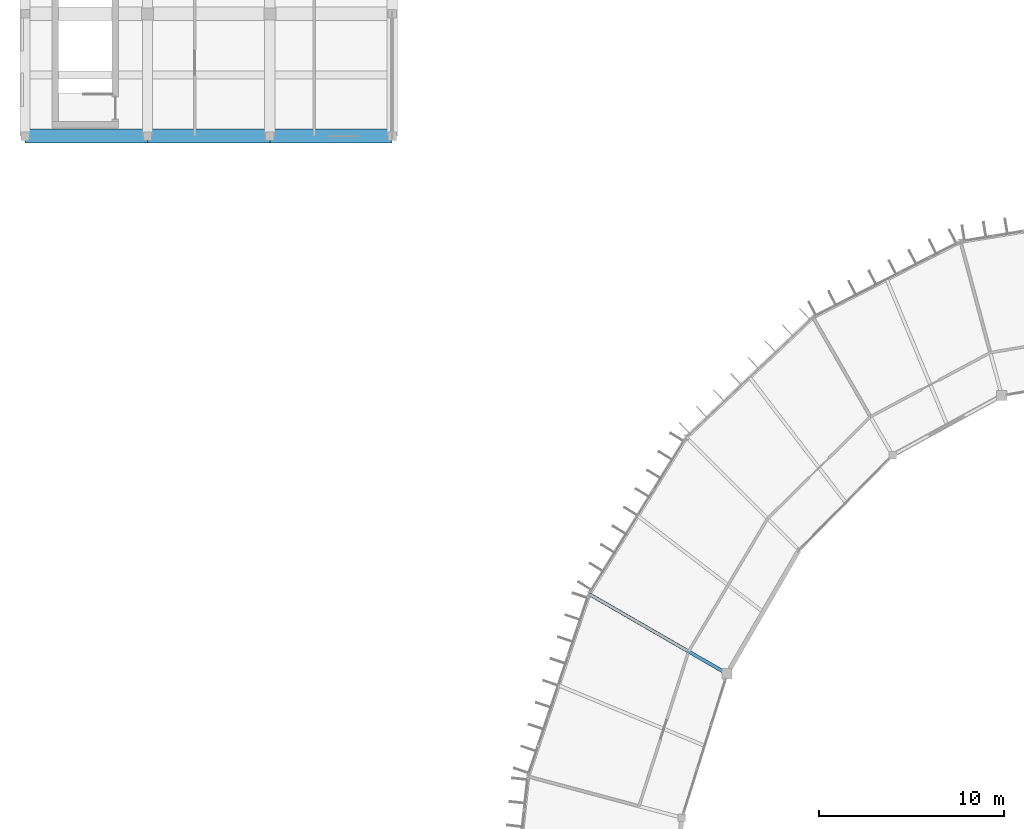
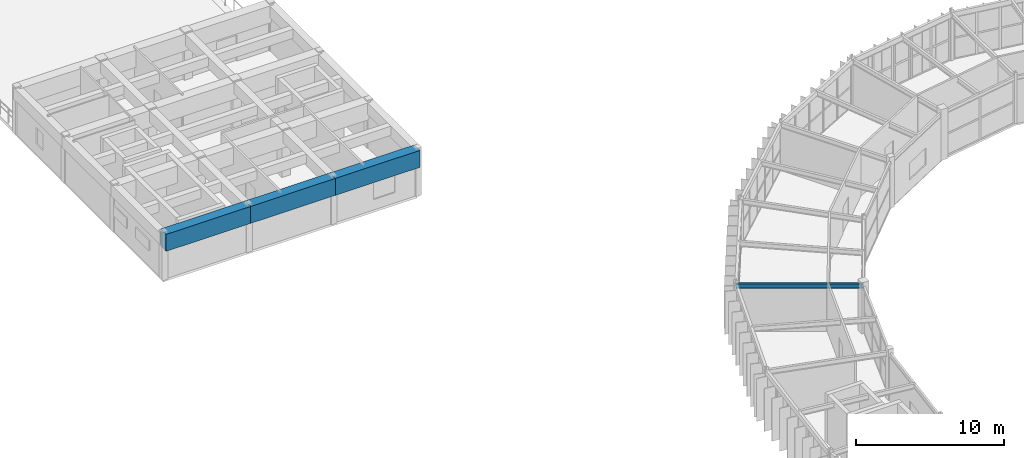
# One storey, part 55 of 106: 4 beams.
"""IFC4 building model written with IfcOpenShell, lengths in metres."""

import ifcopenshell
import ifcopenshell.guid

model = None  # the IFC model being written
_history = None  # IfcOwnerHistory: only IFC2X3 demands one
_inside = {}  # id of a spatial element -> (the spatial element, [elements in it])
_under = {}  # id of a project, library or spatial element -> (it, [spatial elements below it])
_declared = {}  # id of a project -> (the project, [libraries it declares])
_typed = {}  # id of a type object -> (the type object, [elements of that type])
_made_of = {}  # id of a material, layer set ... -> (it, [elements and type objects made of it])


def new_model(schema):
    """Start an empty IFC model of exactly this schema.

    Asked for "IFC4X3", IfcOpenShell would pick the latest addendum, in which some entities
    have other attributes; the version numbers below select the first issue.
    IFC2X3 requires an IfcOwnerHistory on every rooted entity: one is made here for all.
    """
    global model, _history
    if schema == "IFC4X3":
        model = ifcopenshell.file(schema_version=(4, 3, 0, 0))
    else:
        model = ifcopenshell.file(schema=schema)
    _inside.clear()
    _under.clear()
    _declared.clear()
    _typed.clear()
    _made_of.clear()
    _history = None
    if model.schema == "IFC2X3":
        org = make("IfcOrganization", Name="unknown")
        user = make(
            "IfcPersonAndOrganization",
            ThePerson=make("IfcPerson", FamilyName="unknown"),
            TheOrganization=org,
        )
        app = make(
            "IfcApplication",
            ApplicationDeveloper=org,
            Version="unknown",
            ApplicationFullName="unknown",
            ApplicationIdentifier="unknown",
        )
        _history = make(
            "IfcOwnerHistory",
            OwningUser=user,
            OwningApplication=app,
            ChangeAction="ADDED",
            CreationDate=0,
        )
    return model


def make(cls, **values):
    """One entity of the class cls with the attributes given. An attribute that is None is left unset."""
    return model.create_entity(
        cls, **{name: value for name, value in values.items() if value is not None}
    )


def rooted(cls, **values):
    """An entity with a GlobalId (a new one), such as an element, a storey or a relation."""
    return make(cls, GlobalId=ifcopenshell.guid.new(), OwnerHistory=_history, **values)


def si_unit(unit_type, name, prefix=None):
    """IfcSIUnit, for example si_unit("LENGTHUNIT", "METRE", prefix="MILLI")."""
    return make("IfcSIUnit", UnitType=unit_type, Prefix=prefix, Name=name)


def assignment(units):
    """IfcUnitAssignment: the units of a project."""
    return None if units is None else make("IfcUnitAssignment", Units=units)


def point(xyz):
    """IfcCartesianPoint."""
    return None if xyz is None else make("IfcCartesianPoint", Coordinates=xyz)


def direction(xyz):
    """IfcDirection."""
    return None if xyz is None else make("IfcDirection", DirectionRatios=xyz)


def frame(location, z_axis=None, x_axis=None):
    """IfcAxis2Placement3D, a coordinate frame: its origin and axes. An axis left out is left unset."""
    return make(
        "IfcAxis2Placement3D",
        Location=point(location),
        Axis=direction(z_axis),
        RefDirection=direction(x_axis),
    )


def frame_2d(location, x_axis=None):
    """IfcAxis2Placement2D, a coordinate frame in the plane: its origin and x axis."""
    return make(
        "IfcAxis2Placement2D", Location=point(location), RefDirection=direction(x_axis)
    )


def origin():
    """The frame at (0, 0, 0) with its axes left unset."""
    return frame((0.0, 0.0, 0.0))


def origin_2d():
    """The frame at (0, 0) in the plane with its x axis left unset."""
    return frame_2d((0.0, 0.0))


def place(relative_to, where):
    """IfcLocalPlacement: puts the frame where relative to a parent placement (None: the world)."""
    return make(
        "IfcLocalPlacement", PlacementRelTo=relative_to, RelativePlacement=where
    )


def context(
    kind, dimensions, precision=None, world=None, true_north=None, identifier=None
):
    """IfcGeometricRepresentationContext, for example the 3D "Model" context."""
    return make(
        "IfcGeometricRepresentationContext",
        ContextIdentifier=identifier,
        ContextType=kind,
        CoordinateSpaceDimension=dimensions,
        Precision=precision,
        WorldCoordinateSystem=world,
        TrueNorth=true_north,
    )


def subcontext(parent, identifier, kind, view, scale=None):
    """IfcGeometricRepresentationSubContext, for example "Body" below "Model"."""
    return make(
        "IfcGeometricRepresentationSubContext",
        ContextIdentifier=identifier,
        ContextType=kind,
        ParentContext=parent,
        TargetScale=scale,
        TargetView=view,
    )


def project(units=None, contexts=None):
    """IfcProject with its units and contexts."""
    return rooted(
        "IfcProject",
        Name="project",
        RepresentationContexts=contexts,
        UnitsInContext=assignment(units),
    )


def spatial(cls, under=None, at=None, **own):
    """A site, building, storey or space (cls), placed at a placement, below another one or the project."""
    s = rooted(cls, ObjectPlacement=at, **own)
    if under is not None:
        _under.setdefault(under.id(), (under, []))[1].append(s)
    return s


def profile(cls, at=None, kind="AREA", **sizes):
    """A parametric profile (cls). Its sizes go by their IFC names, for example OverallWidth=200.0."""
    return make(cls, ProfileType=kind, Position=at, **sizes)


def rectangle(**sizes):
    """IfcRectangleProfileDef."""
    return profile("IfcRectangleProfileDef", **sizes)


def i_section(**sizes):
    """IfcIShapeProfileDef."""
    return profile("IfcIShapeProfileDef", **sizes)


def extrude(swept, where, along, depth):
    """IfcExtrudedAreaSolid: the profile swept, set in the frame where, extruded along a direction by depth."""
    return make(
        "IfcExtrudedAreaSolid",
        SweptArea=swept,
        Position=where,
        ExtrudedDirection=direction(along),
        Depth=depth,
    )


def shape(context_of_items, identifier, shape_type, items):
    """IfcShapeRepresentation: the items that make up one representation, for example the "Body"."""
    return make(
        "IfcShapeRepresentation",
        ContextOfItems=context_of_items,
        RepresentationIdentifier=identifier,
        RepresentationType=shape_type,
        Items=items,
    )


def material(Name=None, Category=None):
    """IfcMaterial."""
    return make("IfcMaterial", Name=Name, Category=Category)


def material_profile(
    of_material, cross_section, Name=None, Category=None, Priority=None
):
    """IfcMaterialProfile: a cross section and its material."""
    return make(
        "IfcMaterialProfile",
        Name=Name,
        Material=of_material,
        Profile=cross_section,
        Priority=Priority,
        Category=Category,
    )


def profile_set(profiles, Name=None, composite=None):
    """IfcMaterialProfileSet."""
    return make(
        "IfcMaterialProfileSet",
        Name=Name,
        MaterialProfiles=profiles,
        CompositeProfile=composite,
    )


def made_of(thing, what):
    """Note that an element or type object is made of a material, layer set ...; save() writes the relation."""
    if what is not None:
        _made_of.setdefault(what.id(), (what, []))[1].append(thing)
    return thing


def type_object(cls, material=None, **own):
    """A type object (cls), such as IfcWallType, which elements share."""
    return made_of(rooted(cls, **own), material)


def element(
    cls,
    number,
    at=None,
    inside=None,
    cuts=None,
    type_object=None,
    material=None,
    context=None,
    identifier="Body",
    shape_type=None,
    held_by="IfcProductDefinitionShape",
    body=None,
    shapes=None,
    **own,
):
    """One element of the class cls, such as IfcWall. Its Tag is "e" and its number.

    at: its placement. inside: the storey or other place that contains it. cuts: it is an
    opening in that element (IfcRelVoidsElement). A single representation is given by context,
    identifier, shape_type and body (its items); several are given by shapes. held_by: the class
    of the entity that holds the representations. save() writes the other relations.
    """
    e = rooted(cls, Tag="e%d" % number, ObjectPlacement=at, **own)
    if body is not None:
        shapes = [shape(context, identifier, shape_type, body)]
    if shapes is not None:
        e.Representation = make(held_by, Representations=shapes)
    if inside is not None:
        _inside.setdefault(inside.id(), (inside, []))[1].append(e)
    if cuts is not None:
        rooted(
            "IfcRelVoidsElement", RelatingBuildingElement=cuts, RelatedOpeningElement=e
        )
    if type_object is not None:
        _typed.setdefault(type_object.id(), (type_object, []))[1].append(e)
    return made_of(e, material)


def aggregate(whole, parts):
    """IfcRelAggregates: a whole, such as a stair, and the parts it consists of."""
    return rooted("IfcRelAggregates", RelatingObject=whole, RelatedObjects=parts)


def save(model, path):
    """Write the relations noted so far, then the file.

    IfcRelAggregates (storeys below a building ...), IfcRelContainedInSpatialStructure (elements
    in a storey), IfcRelDefinesByType, IfcRelAssociatesMaterial and IfcRelDeclares: one each for
    every whole, place, type object, material and project.
    """
    for whole, parts in _under.values():
        aggregate(whole, parts)
    for where, things in _inside.values():
        rooted(
            "IfcRelContainedInSpatialStructure",
            RelatedElements=things,
            RelatingStructure=where,
        )
    for kind, things in _typed.values():
        rooted("IfcRelDefinesByType", RelatedObjects=things, RelatingType=kind)
    for what, things in _made_of.values():
        rooted("IfcRelAssociatesMaterial", RelatedObjects=things, RelatingMaterial=what)
    for by, libraries in _declared.values():
        rooted("IfcRelDeclares", RelatingContext=by, RelatedDefinitions=libraries)
    model.write(path)


model = new_model("IFC4")

# Units and contexts
model_context = context("Model", 3, precision=1e-05, world=origin(), true_north=direction((0.0, 1.0)))
body_context = subcontext(model_context, "Body", "Model", "MODEL_VIEW")
ifc_project = project(units=[si_unit("LENGTHUNIT", "METRE"), si_unit("AREAUNIT", "SQUARE_METRE"), si_unit("VOLUMEUNIT", "CUBIC_METRE"), si_unit("PLANEANGLEUNIT", "RADIAN"), si_unit("MASSUNIT", "GRAM", prefix="KILO")], contexts=[model_context])

# Site, building, storey
site_placement = place(None, origin())
site = spatial("IfcSite", under=ifc_project, at=site_placement, CompositionType="ELEMENT")
building_placement = place(site_placement, origin())
building = spatial("IfcBuilding", under=site, at=building_placement, Name="Karori Crest Natural Sciences Institute", CompositionType="ELEMENT")
storey_placement = place(building_placement, frame((0.0, 0.0, 25.89990234375)))
storey = spatial("IfcBuildingStorey", under=building, at=storey_placement, Name="L06", CompositionType="ELEMENT", Elevation=25.89990234375)

# Beams
ifc_material_1 = material(Name="Structural steel AS/NZS 3679.1 Grade 350", Category="steel")
ifc_material_profile_1 = material_profile(ifc_material_1, i_section(OverallWidth=0.177978515625, OverallDepth=0.406005859375, WebThickness=0.0078125, FlangeThickness=0.0126953125, FilletRadius=0.010986328125, at=origin_2d()), Name="410UB59.7")
ifc_profile_set_1 = profile_set([ifc_material_profile_1], Name="Structural steel AS/NZS 3679.1 Grade 350")
beam_type_1 = type_object("IfcBeamType", Name="BT-07", PredefinedType="BEAM", material=ifc_profile_set_1)
beam_1_placement = place(storey_placement, frame((45.26904296875, 66.0, 3.739990234375), z_axis=(-0.866021068297, 0.500007509209, 0.0), x_axis=(-0.500007509209, -0.866021068297, 0.0)))
element("IfcBeam", 1, at=beam_1_placement, inside=storey, type_object=beam_type_1, Name="Beam B-0676", PredefinedType="BEAM", context=body_context, shape_type="SweptSolid", body=[
    extrude(i_section(OverallWidth=0.177978515625, OverallDepth=0.406005859375, WebThickness=0.0078125, FlangeThickness=0.0126953125, FilletRadius=0.010986328125, at=origin_2d()), origin(), (0.0, 0.0, 1.0), 8.599853515625),
])
ifc_material_2 = material(Name="Concrete 50 MPa", Category="concrete")
ifc_material_profile_2 = material_profile(ifc_material_2, rectangle(XDim=0.75, YDim=1.39990234375, at=origin_2d()), Name="RCB750x1400")
ifc_profile_set_2 = profile_set([ifc_material_profile_2], Name="Concrete 50 MPa")
beam_type_2 = type_object("IfcBeamType", Name="BT-17", PredefinedType="BEAM", material=ifc_profile_set_2)
for number, where, z_axis, x_axis, name in (
    (2, (7.39990234375, 95.0, 3.150146484375), (1.0, 0.0, 0.0), (0.0, 1.0, 0.0), "Beam B-1901"),
    (3, (14.0, 95.0, 3.150146484375), (1.0, 0.0, 0.0), (0.0, 1.0, 0.0), "Beam B-1902"),
):
    element("IfcBeam", number, at=place(storey_placement, frame(where, z_axis=z_axis, x_axis=x_axis)), inside=storey, type_object=beam_type_2, Name=name, PredefinedType="BEAM", context=body_context, shape_type="SweptSolid", body=[
        extrude(rectangle(XDim=0.75, YDim=1.39990234375, at=origin_2d()), origin(), (0.0, 0.0, 1.0), 6.60009765625),
    ])
beam_2_placement = place(storey_placement, frame((20.60009765625, 95.0, 3.150146484375), z_axis=(1.0, 0.0, 0.0), x_axis=(0.0, 1.0, 0.0)))
element("IfcBeam", 4, at=beam_2_placement, inside=storey, type_object=beam_type_2, Name="Beam B-1903", PredefinedType="BEAM", context=body_context, shape_type="SweptSolid", body=[
    extrude(rectangle(XDim=0.75, YDim=1.39990234375, at=origin_2d()), origin(), (0.0, 0.0, 1.0), 6.599853515625),
])

save(model, "model.ifc")
